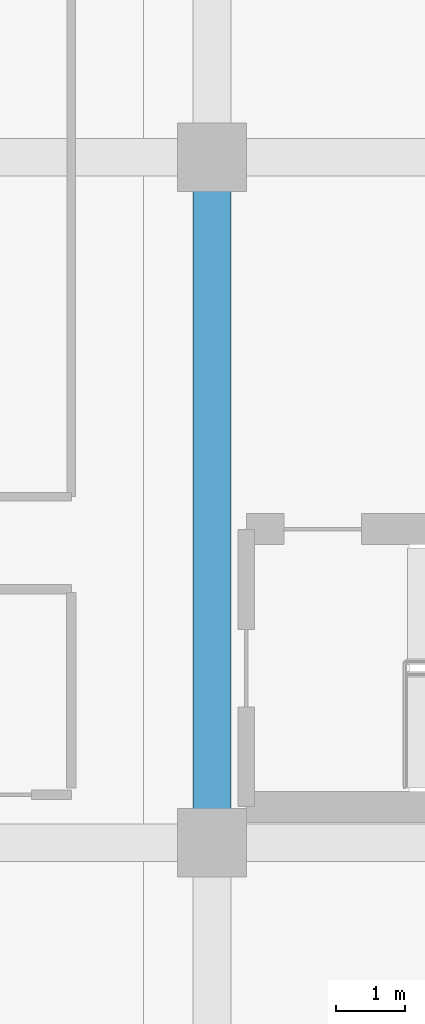
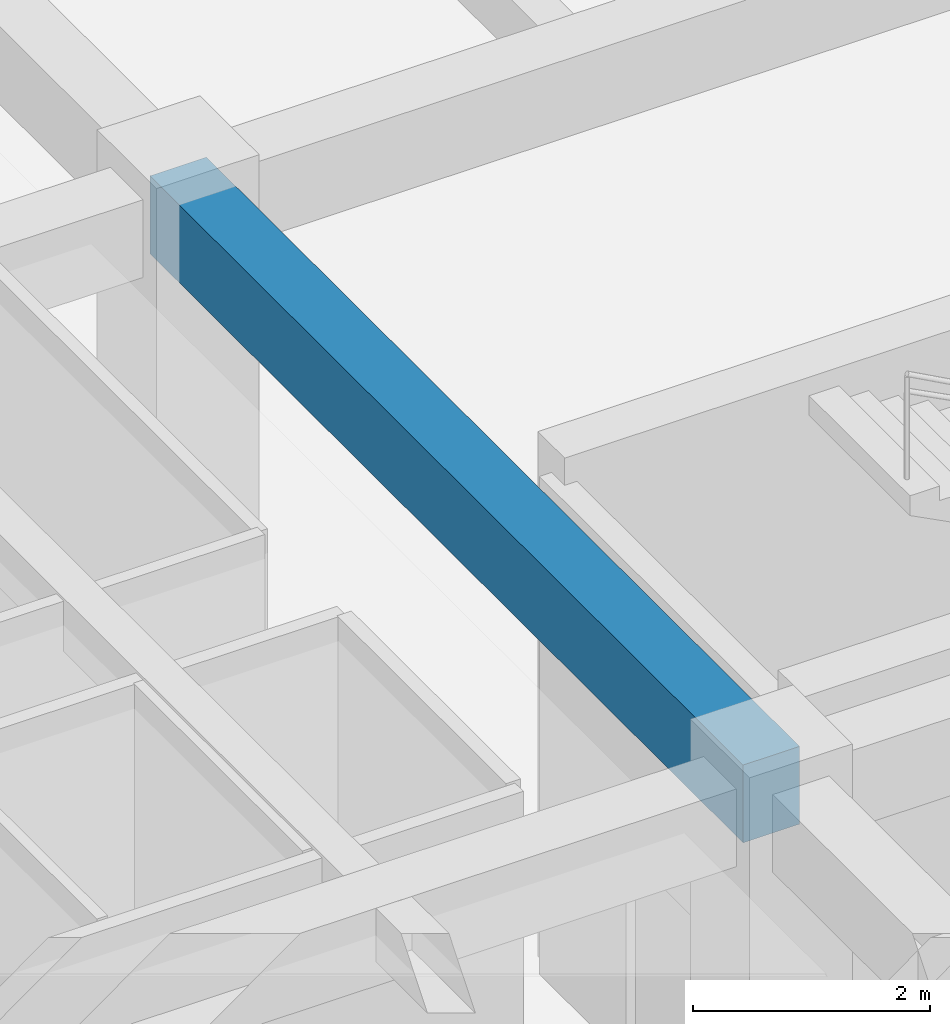
# One storey, part 79 of 148: 1 beam.
"""IFC4 building model written with IfcOpenShell, lengths in metres."""

from ifc_helpers import new_model, si_unit, direction, frame, origin, origin_2d, place, context, subcontext, project, spatial, rectangle, extrude, material, material_profile, profile_set, type_object, element, save


model = new_model("IFC4")

# Units and contexts
model_context = context("Model", 3, precision=1e-05, world=origin(), true_north=direction((0.0, 1.0)))
body_context = subcontext(model_context, "Body", "Model", "MODEL_VIEW")
ifc_project = project(units=[si_unit("LENGTHUNIT", "METRE"), si_unit("AREAUNIT", "SQUARE_METRE"), si_unit("VOLUMEUNIT", "CUBIC_METRE"), si_unit("PLANEANGLEUNIT", "RADIAN"), si_unit("MASSUNIT", "GRAM", prefix="KILO")], contexts=[model_context])

# Site, building, storey
site_placement = place(None, origin())
site = spatial("IfcSite", under=ifc_project, at=site_placement, CompositionType="ELEMENT")
building_placement = place(site_placement, origin())
building = spatial("IfcBuilding", under=site, at=building_placement, Name="Ologun Quay Terminus", CompositionType="ELEMENT")
storey_placement = place(building_placement, frame((0.0, 0.0, 8.39990234375)))
storey = spatial("IfcBuildingStorey", under=building, at=storey_placement, Name="L02", CompositionType="ELEMENT", Elevation=8.39990234375)

# Beam
ifc_material = material(Name="Concrete C40/50", Category="concrete")
ifc_material_profile = material_profile(ifc_material, rectangle(XDim=0.550048828125, YDim=0.800048828125, at=origin_2d()), Name="RC 550x800")
ifc_profile_set = profile_set([ifc_material_profile], Name="Concrete C40/50")
beam_type = type_object("IfcBeamType", Name="Courtyard Wing Primary Girder 550x800", PredefinedType="BEAM", material=ifc_profile_set)
beam_placement = place(storey_placement, frame((126.5, 94.800048828125, 4.75), z_axis=(0.0, 1.0, 0.0), x_axis=(-1.0, 0.0, 0.0)))
element("IfcBeam", 1, at=beam_placement, inside=storey, type_object=beam_type, Name="B4 Beam 12/H L02", PredefinedType="BEAM", context=body_context, shape_type="SweptSolid", body=[
    extrude(rectangle(XDim=0.550048828125, YDim=0.800048828125, at=origin_2d()), origin(), (0.0, 0.0, 1.0), 10.0),
])

save(model, "model.ifc")
